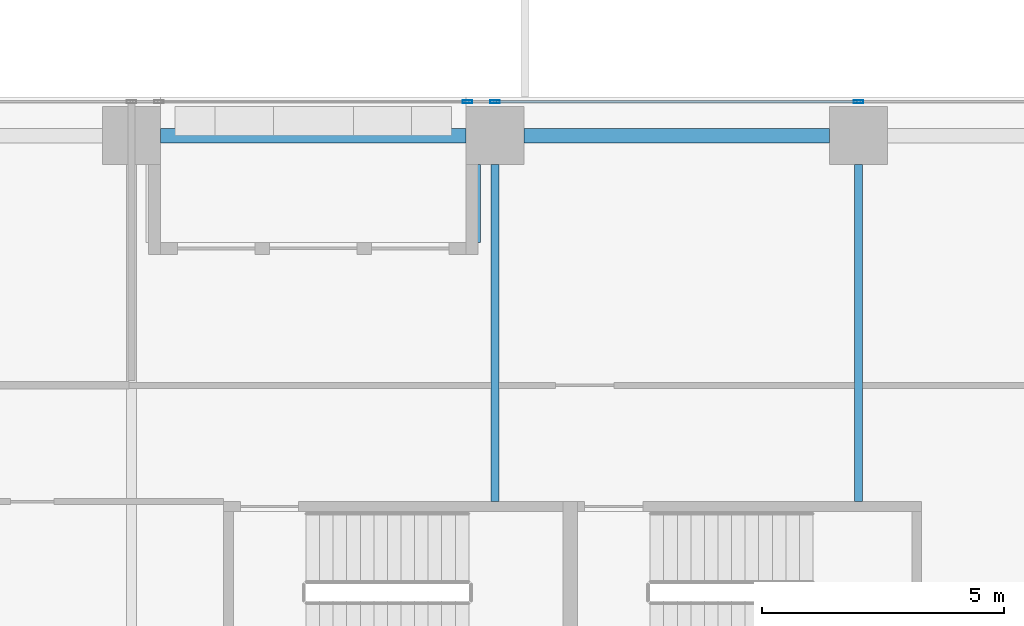
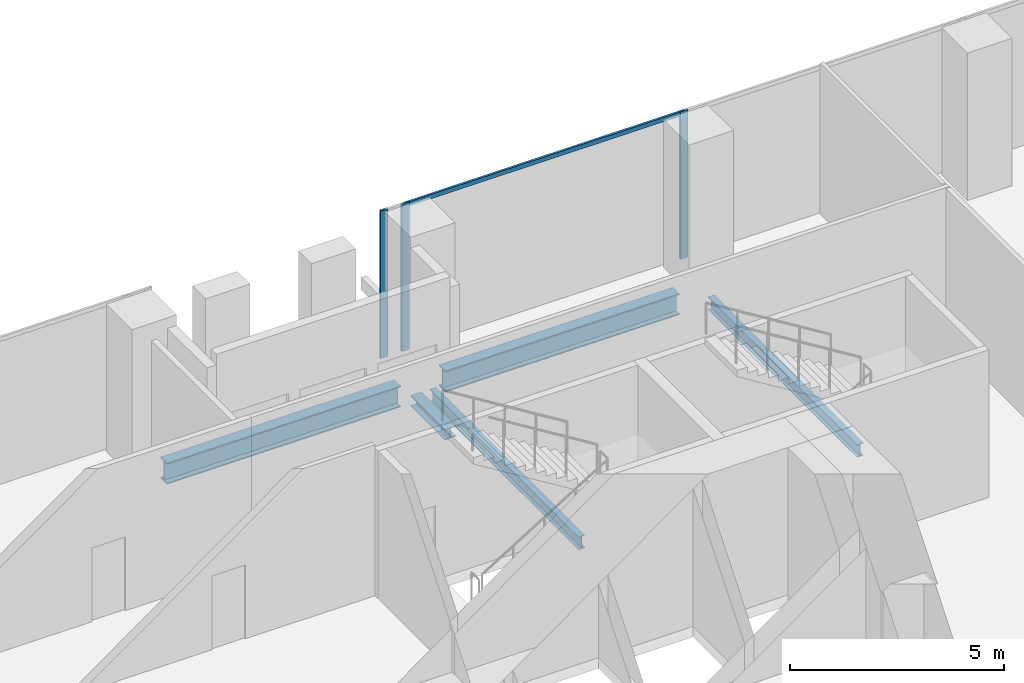
# One storey, part 15 of 33: 5 beams, 4 members, 1 element without a shape of its own.
"""IFC4 building model written with IfcOpenShell, lengths in metres."""

from ifc_helpers import new_model, si_unit, direction, frame, origin, origin_2d, place, context, subcontext, project, spatial, hollow_rectangle, i_section, extrude, source, transform, mapped, material, material_profile, profile_set, type_object, element, aggregate, save


model = new_model("IFC4")

# Units and contexts
model_context = context("Model", 3, precision=1e-05, world=origin(), true_north=direction((0.0, 1.0)))
body_context = subcontext(model_context, "Body", "Model", "MODEL_VIEW")
ifc_project = project(units=[si_unit("LENGTHUNIT", "METRE"), si_unit("AREAUNIT", "SQUARE_METRE"), si_unit("VOLUMEUNIT", "CUBIC_METRE"), si_unit("PLANEANGLEUNIT", "RADIAN"), si_unit("MASSUNIT", "GRAM", prefix="KILO")], contexts=[model_context])

# Site, building, storey
site_placement = place(None, origin())
site = spatial("IfcSite", under=ifc_project, at=site_placement, CompositionType="ELEMENT")
building_placement = place(site_placement, origin())
building = spatial("IfcBuilding", under=site, at=building_placement, Name="Khomas Fold Tower", CompositionType="ELEMENT")
storey_placement = place(building_placement, frame((0.0, 0.0, 78.0)))
storey = spatial("IfcBuildingStorey", under=building, at=storey_placement, Name="L16", CompositionType="ELEMENT", Elevation=78.0)

# Beams
ifc_material_1 = material(Name="Steel S355", Category="steel")
ifc_material_profile_1 = material_profile(ifc_material_1, i_section(OverallWidth=0.169921875, OverallDepth=0.360107421875, WebThickness=0.008056640625, FlangeThickness=0.0126953125, at=origin_2d()), Name="IPE 360")
ifc_profile_set_1 = profile_set([ifc_material_profile_1], Name="Steel S355")
beam_type_1 = type_object("IfcBeamType", Name="IPE 360 beam JB2", PredefinedType="BEAM", material=ifc_profile_set_1)
shared_shape_1 = source(origin(), body_context, "Body", "SweptSolid", [
    extrude(i_section(OverallWidth=0.169921875, OverallDepth=0.360107421875, WebThickness=0.008056640625, FlangeThickness=0.0126953125, at=origin_2d()), origin(), (0.0, 0.0, 1.0), 6.9501953125),
])
for number, where, z_axis, x_axis, name in (
    (1, (19.5, 45.64990234375, -0.47998046875), (0.0, 1.0, 0.0), (-1.0, 0.0, 0.0), "JB2"),
    (2, (27.0, 45.64990234375, -0.47998046875), (0.0, 1.0, 0.0), (-1.0, 0.0, 0.0), "JB2"),
):
    element("IfcBeam", number, at=place(storey_placement, frame(where, z_axis=z_axis, x_axis=x_axis)), inside=storey, type_object=beam_type_1, Name=name, PredefinedType="BEAM", context=body_context, shape_type="MappedRepresentation", body=[
        mapped(shared_shape_1, transform((0.0, 0.0, 0.0))),
    ])
ifc_material_2 = material(Name="Steel S355", Category="steel")
ifc_material_profile_2 = material_profile(ifc_material_2, i_section(OverallWidth=0.300048828125, OverallDepth=0.60009765625, WebThickness=0.015380859375, FlangeThickness=0.030029296875, at=origin_2d()), Name="HE 600 B")
ifc_profile_set_2 = profile_set([ifc_material_profile_2], Name="Steel S355")
beam_type_2 = type_object("IfcBeamType", Name="HE 600 B spandrel SB1", PredefinedType="SPANDREL", material=ifc_profile_set_2)
shared_shape_2 = source(origin(), body_context, "Body", "SweptSolid", [
    extrude(i_section(OverallWidth=0.300048828125, OverallDepth=0.60009765625, WebThickness=0.015380859375, FlangeThickness=0.030029296875, at=origin_2d()), origin(), (0.0, 0.0, 1.0), 6.2998046875),
])
for number, where, z_axis, x_axis, name in (
    (3, (20.10009765625, 53.199951171875, -0.60009765625), (1.0, 0.0, 0.0), (0.0, 1.0, 0.0), "SB1"),
    (4, (12.60009765625, 53.199951171875, -0.60009765625), (1.0, 0.0, 0.0), (0.0, 1.0, 0.0), "SB1"),
):
    element("IfcBeam", number, at=place(storey_placement, frame(where, z_axis=z_axis, x_axis=x_axis)), inside=storey, type_object=beam_type_2, Name=name, PredefinedType="SPANDREL", context=body_context, shape_type="MappedRepresentation", body=[
        mapped(shared_shape_2, transform((0.0, 0.0, 0.0))),
    ])
ifc_material_3 = material(Name="Steel S355", Category="steel")
ifc_material_profile_3 = material_profile(ifc_material_3, i_section(OverallWidth=0.300048828125, OverallDepth=0.300048828125, WebThickness=0.010986328125, FlangeThickness=0.01904296875, at=origin_2d()), Name="HE 300 B")
ifc_profile_set_3 = profile_set([ifc_material_profile_3], Name="Steel S355")
beam_type_3 = type_object("IfcBeamType", Name="HE 300 B beam BB1", PredefinedType="BEAM", material=ifc_profile_set_3)
shared_shape_3 = source(origin(), body_context, "Body", "SweptSolid", [
    extrude(i_section(OverallWidth=0.300048828125, OverallDepth=0.300048828125, WebThickness=0.010986328125, FlangeThickness=0.01904296875, at=origin_2d()), origin(), (0.0, 0.0, 1.0), 1.60009765625),
])
beam_placement = place(storey_placement, frame((19.050048828125, 51.0, -0.449951171875), z_axis=(0.0, 1.0, 0.0), x_axis=(-1.0, 0.0, 0.0)))
element("IfcBeam", 5, at=beam_placement, inside=storey, type_object=beam_type_3, Name="BB1", PredefinedType="BEAM", context=body_context, shape_type="MappedRepresentation", body=[
    mapped(shared_shape_3, transform((0.0, 0.0, 0.0))),
])

# Curtain wall, members
ifc_material_4 = material(Name="Aluminium framed double glazing", Category="aluminium")
curtain_wall_type = type_object("IfcCurtainWallType", Name="SK-Unitised clear-glass wall, growing floors CW1", PredefinedType="NOTDEFINED", material=ifc_material_4)
curtain_wall_placement = place(storey_placement, origin())
curtain_wall = element("IfcCurtainWall", 6, at=curtain_wall_placement, inside=storey, type_object=curtain_wall_type, Name="CW1 run L16 06-0", PredefinedType="NOTDEFINED")
ifc_material_5 = material(Name="Aluminium", Category="aluminium")
ifc_material_profile_4 = material_profile(ifc_material_5, hollow_rectangle(XDim=0.06005859375, YDim=0.1201171875, WallThickness=0.00390625, at=origin_2d()), Name="SK-Unitised clear-glass wall, growing floors transom CW1-T")
ifc_profile_set_4 = profile_set([ifc_material_profile_4], Name="Aluminium")
member_type_1 = type_object("IfcMemberType", Name="SK-Unitised clear-glass wall, growing floors transom CW1-T", PredefinedType="USERDEFINED", material=ifc_profile_set_4)
shared_shape_4 = source(origin(), body_context, "Body", "SweptSolid", [
    extrude(hollow_rectangle(XDim=0.06005859375, YDim=0.1201171875, WallThickness=0.00390625, at=origin_2d()), origin(), (0.0, 0.0, 1.0), 7.43994140625),
])
member_1_placement = place(storey_placement, frame((26.969970703125, 53.89990234375, 4.139892578125), z_axis=(-1.0, 0.0, 0.0), x_axis=(0.0, -1.0, 0.0)))
member_1 = element("IfcMember", 7, at=member_1_placement, type_object=member_type_1, Name="CW1 transom 5", ObjectType="TRANSOM", PredefinedType="USERDEFINED", context=body_context, shape_type="MappedRepresentation", body=[
    mapped(shared_shape_4, transform((0.0, 0.0, 0.0))),
])
ifc_material_6 = material(Name="Aluminium", Category="aluminium")
ifc_material_profile_5 = material_profile(ifc_material_6, hollow_rectangle(XDim=0.06005859375, YDim=0.199951171875, WallThickness=0.00390625, at=origin_2d()), Name="SK-Unitised clear-glass wall, growing floors mullion CW1-M")
ifc_profile_set_5 = profile_set([ifc_material_profile_5], Name="Aluminium")
member_type_2 = type_object("IfcMemberType", Name="SK-Unitised clear-glass wall, growing floors mullion CW1-M", PredefinedType="MULLION", material=ifc_profile_set_5)
shared_shape_5 = source(origin(), body_context, "Body", "SweptSolid", [
    extrude(hollow_rectangle(XDim=0.06005859375, YDim=0.199951171875, WallThickness=0.00390625, at=origin_2d()), origin(), (0.0, 0.0, 1.0), 4.199951171875),
])
member_2_placement = place(storey_placement, frame((27.0, 53.89990234375, 0.0), z_axis=(0.0, 0.0, 1.0), x_axis=(0.0, -1.0, 0.0)))
member_2 = element("IfcMember", 8, at=member_2_placement, type_object=member_type_2, Name="CW1 mullion 5", PredefinedType="MULLION", context=body_context, shape_type="MappedRepresentation", body=[
    mapped(shared_shape_5, transform((0.0, 0.0, 0.0))),
])
member_3_placement = place(storey_placement, frame((19.5, 53.89990234375, 0.0), z_axis=(0.0, 0.0, 1.0), x_axis=(0.0, -1.0, 0.0)))
member_3 = element("IfcMember", 9, at=member_3_placement, type_object=member_type_2, Name="CW1 mullion 6", PredefinedType="MULLION", context=body_context, shape_type="MappedRepresentation", body=[
    mapped(shared_shape_5, transform((0.0, 0.0, 0.0))),
])
member_4_placement = place(storey_placement, frame((18.929931640625, 53.89990234375, 0.0), z_axis=(0.0, 0.0, 1.0), x_axis=(0.0, -1.0, 0.0)))
member_4 = element("IfcMember", 10, at=member_4_placement, type_object=member_type_2, Name="CW1 mullion 7", PredefinedType="MULLION", context=body_context, shape_type="MappedRepresentation", body=[
    mapped(shared_shape_5, transform((0.0, 0.0, 0.0))),
])
aggregate(curtain_wall, [member_2, member_3, member_4, member_1])

save(model, "model.ifc")
